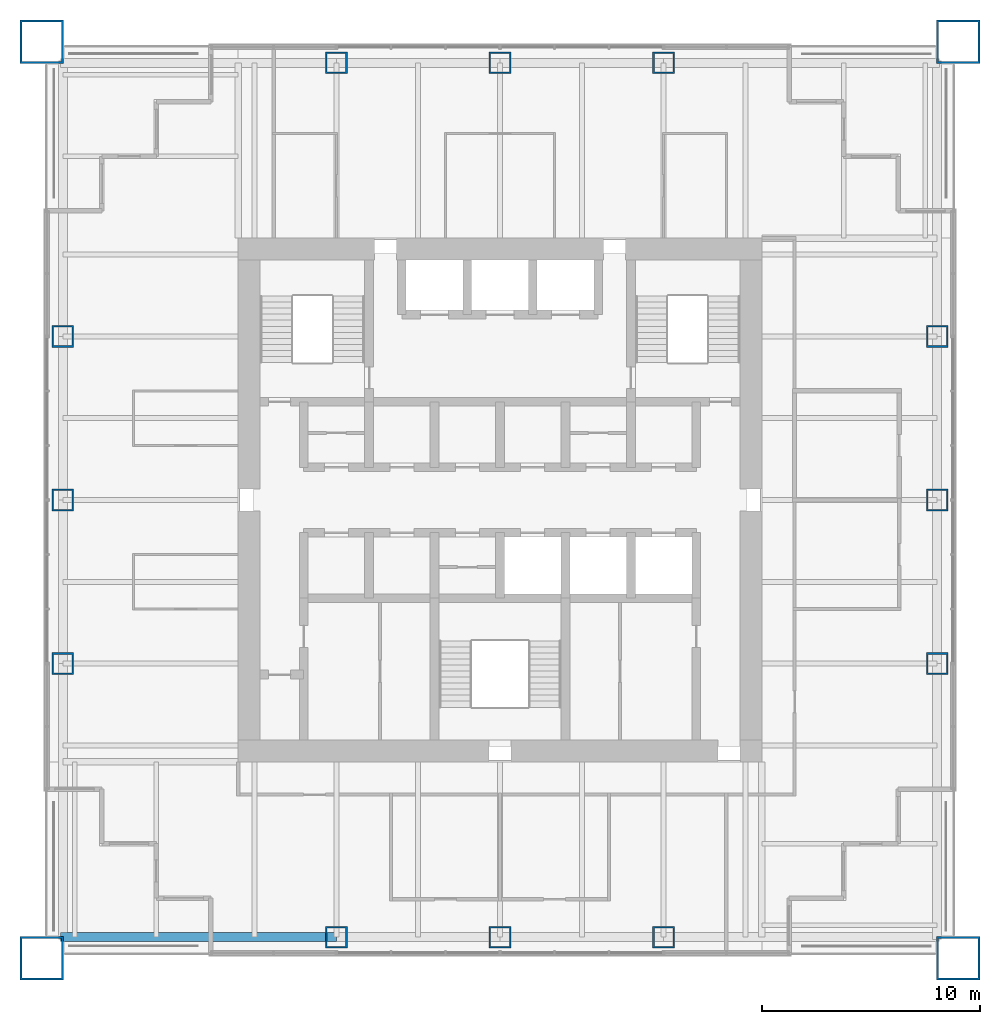
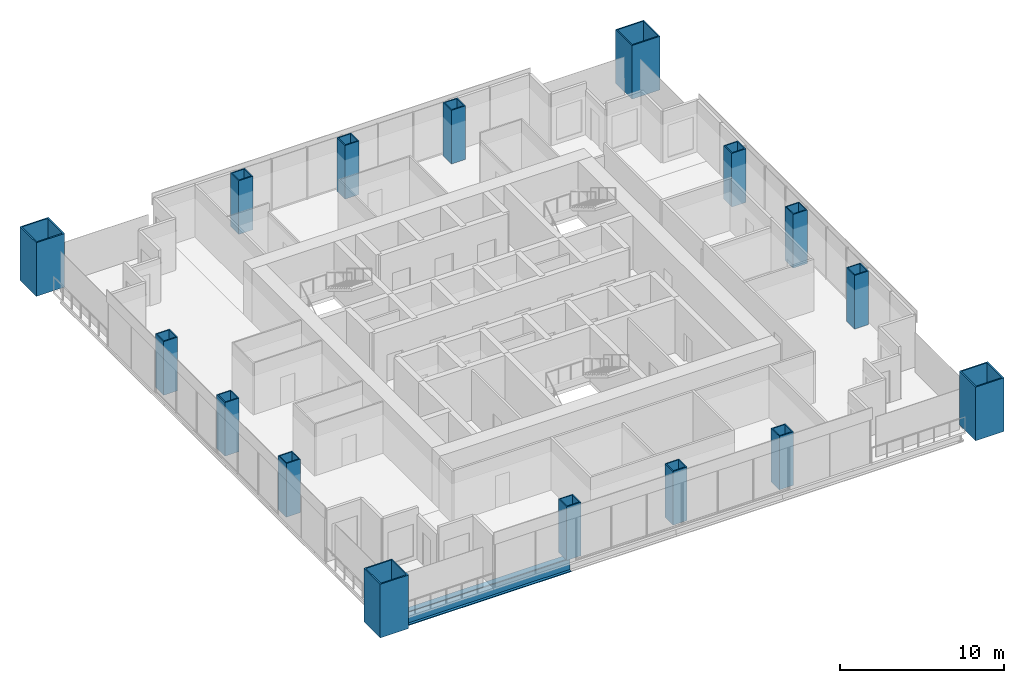
# One storey, part 1 of 14: 16 columns, 1 beam.
"""IFC4 building model written with IfcOpenShell, lengths in metres."""

from ifc_helpers import new_model, si_unit, direction, frame, origin, origin_2d, place, context, subcontext, project, spatial, hollow_rectangle, i_section, extrude, material, material_profile, profile_set, type_object, element, save


model = new_model("IFC4")

# Units and contexts
model_context = context("Model", 3, precision=1e-05, world=origin(), true_north=direction((0.0, 1.0)))
body_context = subcontext(model_context, "Body", "Model", "MODEL_VIEW")
ifc_project = project(units=[si_unit("LENGTHUNIT", "METRE"), si_unit("AREAUNIT", "SQUARE_METRE"), si_unit("VOLUMEUNIT", "CUBIC_METRE"), si_unit("PLANEANGLEUNIT", "RADIAN"), si_unit("MASSUNIT", "GRAM", prefix="KILO")], contexts=[model_context])

# Site, building, storey
site_placement = place(None, origin())
site = spatial("IfcSite", under=ifc_project, at=site_placement, CompositionType="ELEMENT")
building_placement = place(site_placement, origin())
building = spatial("IfcBuilding", under=site, at=building_placement, Name="Tarangal Relay Tower", CompositionType="ELEMENT")
storey_placement = place(building_placement, frame((0.0, 0.0, 287.89990234375)))
storey = spatial("IfcBuildingStorey", under=building, at=storey_placement, Name="L63", CompositionType="ELEMENT", Elevation=287.89990234375)

# Columns
ifc_material_1 = material(Name="Steel ASTM A572 Grade 50", Category="steel")
ifc_material_profile_1 = material_profile(ifc_material_1, hollow_rectangle(XDim=2.0, YDim=2.0, WallThickness=0.094970703125, at=origin_2d()), Name="BOX2000X2000X95")
ifc_profile_set_1 = profile_set([ifc_material_profile_1], Name="Steel ASTM A572 Grade 50")
column_type_1 = type_object("IfcColumnType", Name="Mega column BOX2000X2000X95", PredefinedType="COLUMN", material=ifc_profile_set_1)
for number, where, z_axis, x_axis, name in (
    (1, (21.0, 21.0, 0.0), (0.0, 0.0, 1.0), (1.0, 0.0, 0.0), "Mega column MC4 NE L63"),
    (2, (21.0, -21.0, 0.0), (0.0, 0.0, 1.0), (1.0, 0.0, 0.0), "Mega column MC4 SE L63"),
    (3, (-21.0, -21.0, 0.0), (0.0, 0.0, 1.0), (1.0, 0.0, 0.0), "Mega column MC4 SW L63"),
    (4, (-21.0, 21.0, 0.0), (0.0, 0.0, 1.0), (1.0, 0.0, 0.0), "Mega column MC4 NW L63"),
):
    element("IfcColumn", number, at=place(storey_placement, frame(where, z_axis=z_axis, x_axis=x_axis)), inside=storey, type_object=column_type_1, Name=name, PredefinedType="COLUMN", context=body_context, shape_type="SweptSolid", body=[
        extrude(hollow_rectangle(XDim=2.0, YDim=2.0, WallThickness=0.094970703125, at=origin_2d()), origin(), (0.0, 0.0, 1.0), 4.0),
    ])
ifc_material_profile_2 = material_profile(ifc_material_1, hollow_rectangle(XDim=1.0, YDim=1.0, WallThickness=0.074951171875, at=origin_2d()), Name="BOX1000X1000X75")
ifc_profile_set_2 = profile_set([ifc_material_profile_2], Name="Steel ASTM A572 Grade 50")
column_type_2 = type_object("IfcColumnType", Name="Perimeter column BOX1000X1000X75", PredefinedType="COLUMN", material=ifc_profile_set_2)
for number, where, z_axis, x_axis, name in (
    (5, (-7.5, 20.0400390625, 0.0), (0.0, 0.0, 1.0), (1.0, 0.0, 0.0), "Perimeter column PC5 N L63"),
    (6, (0.0, 20.0400390625, 0.0), (0.0, 0.0, 1.0), (1.0, 0.0, 0.0), "Perimeter column PC5 N L63"),
    (7, (7.5, 20.0400390625, 0.0), (0.0, 0.0, 1.0), (1.0, 0.0, 0.0), "Perimeter column PC5 N L63"),
    (8, (20.0400390625, 7.5, 0.0), (0.0, 0.0, 1.0), (1.0, 0.0, 0.0), "Perimeter column PC5 E L63"),
    (9, (20.0400390625, 0.0, 0.0), (0.0, 0.0, 1.0), (1.0, 0.0, 0.0), "Perimeter column PC5 E L63"),
    (10, (20.0400390625, -7.5, 0.0), (0.0, 0.0, 1.0), (1.0, 0.0, 0.0), "Perimeter column PC5 E L63"),
    (11, (7.5, -20.0400390625, 0.0), (0.0, 0.0, 1.0), (1.0, 0.0, 0.0), "Perimeter column PC5 S L63"),
    (12, (0.0, -20.0400390625, 0.0), (0.0, 0.0, 1.0), (1.0, 0.0, 0.0), "Perimeter column PC5 S L63"),
    (13, (-7.5, -20.0400390625, 0.0), (0.0, 0.0, 1.0), (1.0, 0.0, 0.0), "Perimeter column PC5 S L63"),
    (14, (-20.0400390625, -7.5, 0.0), (0.0, 0.0, 1.0), (1.0, 0.0, 0.0), "Perimeter column PC5 W L63"),
    (15, (-20.0400390625, 0.0, 0.0), (0.0, 0.0, 1.0), (1.0, 0.0, 0.0), "Perimeter column PC5 W L63"),
    (16, (-20.0400390625, 7.5, 0.0), (0.0, 0.0, 1.0), (1.0, 0.0, 0.0), "Perimeter column PC5 W L63"),
):
    element("IfcColumn", number, at=place(storey_placement, frame(where, z_axis=z_axis, x_axis=x_axis)), inside=storey, type_object=column_type_2, Name=name, PredefinedType="COLUMN", context=body_context, shape_type="SweptSolid", body=[
        extrude(hollow_rectangle(XDim=1.0, YDim=1.0, WallThickness=0.074951171875, at=origin_2d()), origin(), (0.0, 0.0, 1.0), 4.0),
    ])

# Beam
ifc_material_2 = material(Name="Steel ASTM A992", Category="steel")
ifc_material_profile_3 = material_profile(ifc_material_2, i_section(OverallWidth=0.41162109375, OverallDepth=1.049072265625, WebThickness=0.033935546875, FlangeThickness=0.059814453125, at=origin_2d()), Name="W40X431")
ifc_profile_set_3 = profile_set([ifc_material_profile_3], Name="Steel ASTM A992")
beam_type = type_object("IfcBeamType", Name="Edge girder W40X431", PredefinedType="SPANDREL", material=ifc_profile_set_3)
beam_placement = place(storey_placement, frame((-7.5, -20.0400390625, -0.67431640625), z_axis=(-1.0, 0.0, 0.0), x_axis=(0.0, -1.0, 0.0)))
element("IfcBeam", 17, at=beam_placement, inside=storey, type_object=beam_type, Name="Edge girder EG1 S L63", PredefinedType="SPANDREL", context=body_context, shape_type="SweptSolid", body=[
    extrude(i_section(OverallWidth=0.41162109375, OverallDepth=1.049072265625, WebThickness=0.033935546875, FlangeThickness=0.059814453125, at=origin_2d()), origin(), (0.0, 0.0, 1.0), 12.64990234375),
])

save(model, "model.ifc")
